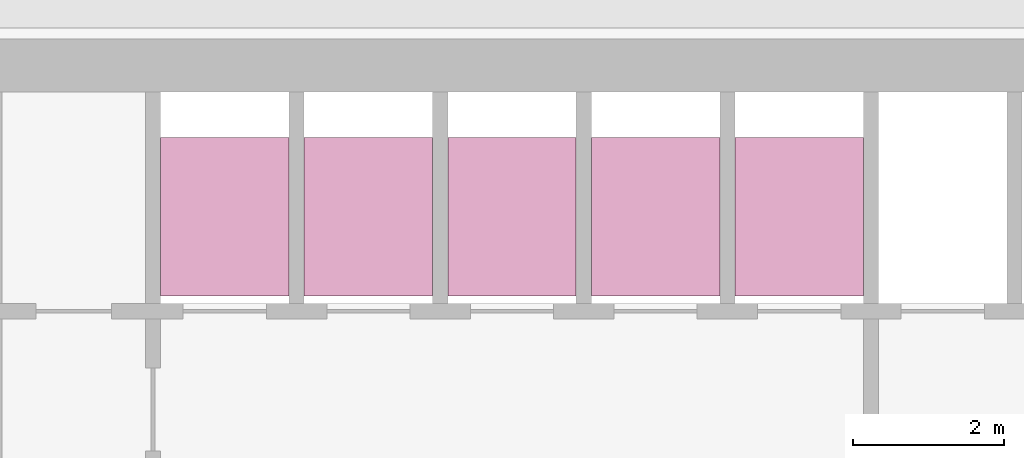
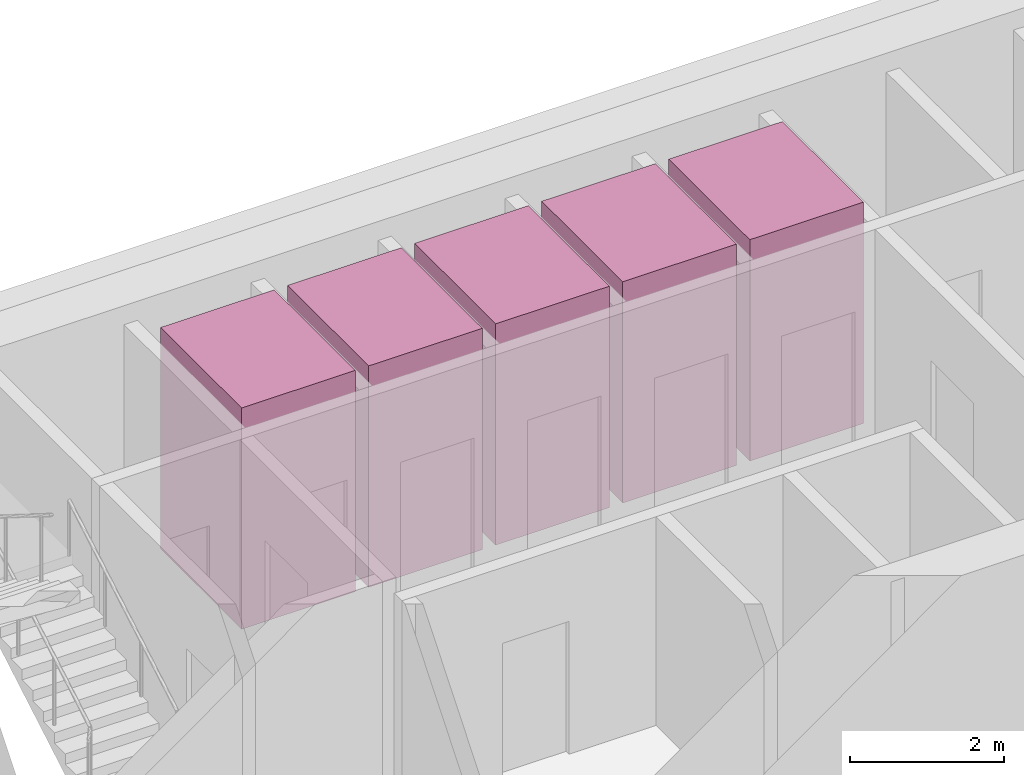
# One storey, part 13 of 13: 5 transport elements.
"""IFC4 building model written with IfcOpenShell, lengths in metres."""

from ifc_helpers import new_model, si_unit, direction, frame, origin, origin_2d, place, context, subcontext, project, spatial, rectangle, extrude, material, type_object, element, save


model = new_model("IFC4")

# Units and contexts
model_context = context("Model", 3, precision=1e-05, world=origin(), true_north=direction((0.0, 1.0)))
body_context = subcontext(model_context, "Body", "Model", "MODEL_VIEW")
ifc_project = project(units=[si_unit("LENGTHUNIT", "METRE"), si_unit("AREAUNIT", "SQUARE_METRE"), si_unit("VOLUMEUNIT", "CUBIC_METRE"), si_unit("PLANEANGLEUNIT", "RADIAN"), si_unit("MASSUNIT", "GRAM", prefix="KILO")], contexts=[model_context])

# Site, building, storey
site_placement = place(None, origin())
site = spatial("IfcSite", under=ifc_project, at=site_placement, CompositionType="ELEMENT")
building_placement = place(site_placement, origin())
building = spatial("IfcBuilding", under=site, at=building_placement, Name="Altiplano Prism Tower", CompositionType="ELEMENT")
storey_placement = place(building_placement, frame((0.0, 0.0, 208.800048828125)))
storey = spatial("IfcBuildingStorey", under=building, at=storey_placement, Name="L54", CompositionType="ELEMENT", Elevation=208.800048828125)

# Transport elements
ifc_material = material(Name="Stainless steel lift car", Category="steel")
transport_element_type = type_object("IfcTransportElementType", Name="Passenger lift car 1600 x 2100", PredefinedType="ELEVATOR", material=ifc_material)
for number, where, z_axis, x_axis, name in (
    (1, (79.050048828125, 101.75, 0.050048828125), (0.0, 0.0, 1.0), (1.0, 0.0, 0.0), "Mid Zone Passenger Lift 1"),
    (2, (80.949951171875, 101.75, 0.050048828125), (0.0, 0.0, 1.0), (1.0, 0.0, 0.0), "Mid Zone Passenger Lift 2"),
    (3, (82.85009765625, 101.75, 0.050048828125), (0.0, 0.0, 1.0), (1.0, 0.0, 0.0), "Mid Zone Passenger Lift 3"),
    (4, (84.75, 101.75, 0.050048828125), (0.0, 0.0, 1.0), (1.0, 0.0, 0.0), "Mid Zone Passenger Lift 4"),
    (5, (86.64990234375, 101.75, 0.050048828125), (0.0, 0.0, 1.0), (1.0, 0.0, 0.0), "Mid Zone Passenger Lift 5"),
):
    element("IfcTransportElement", number, at=place(storey_placement, frame(where, z_axis=z_axis, x_axis=x_axis)), inside=storey, type_object=transport_element_type, Name=name, PredefinedType="ELEVATOR", context=body_context, shape_type="SweptSolid", body=[
        extrude(rectangle(XDim=1.699951171875, YDim=2.10009765625, at=origin_2d()), origin(), (0.0, 0.0, 1.0), 3.5),
    ])

save(model, "model.ifc")
